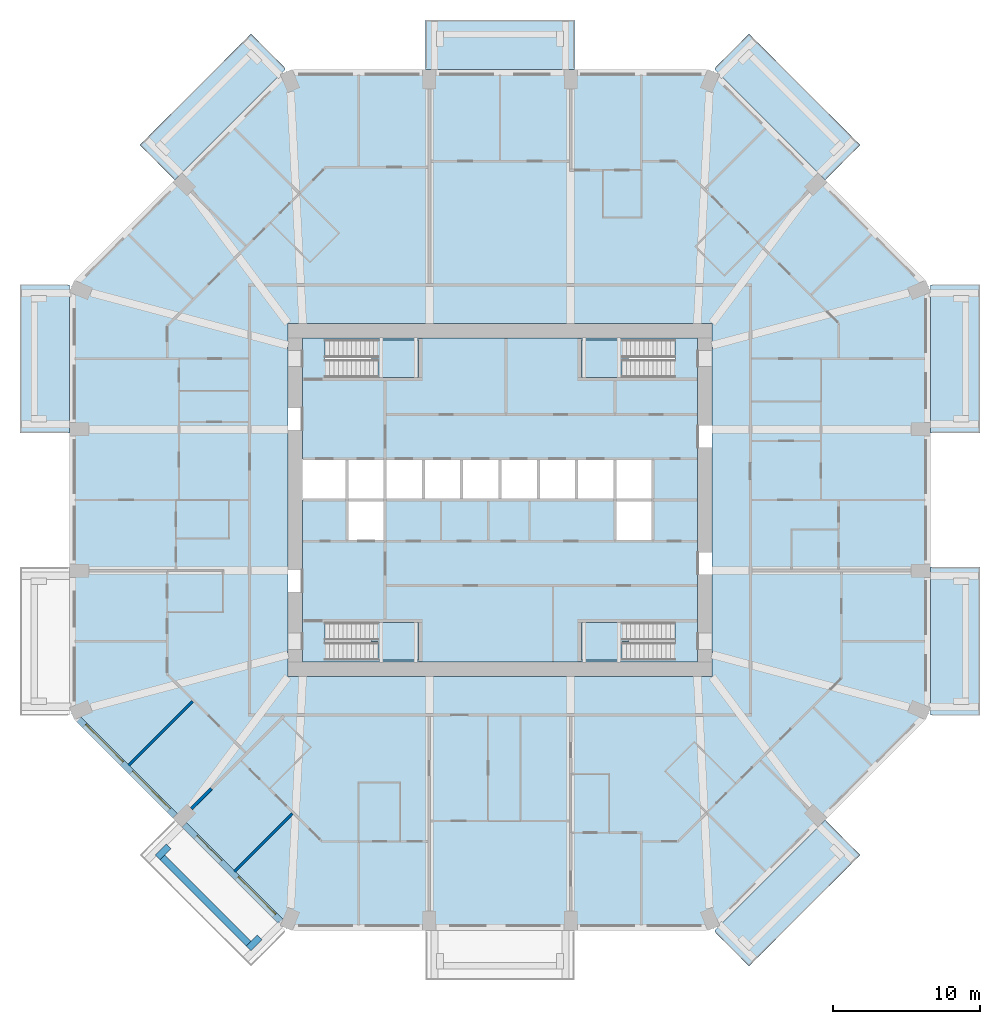
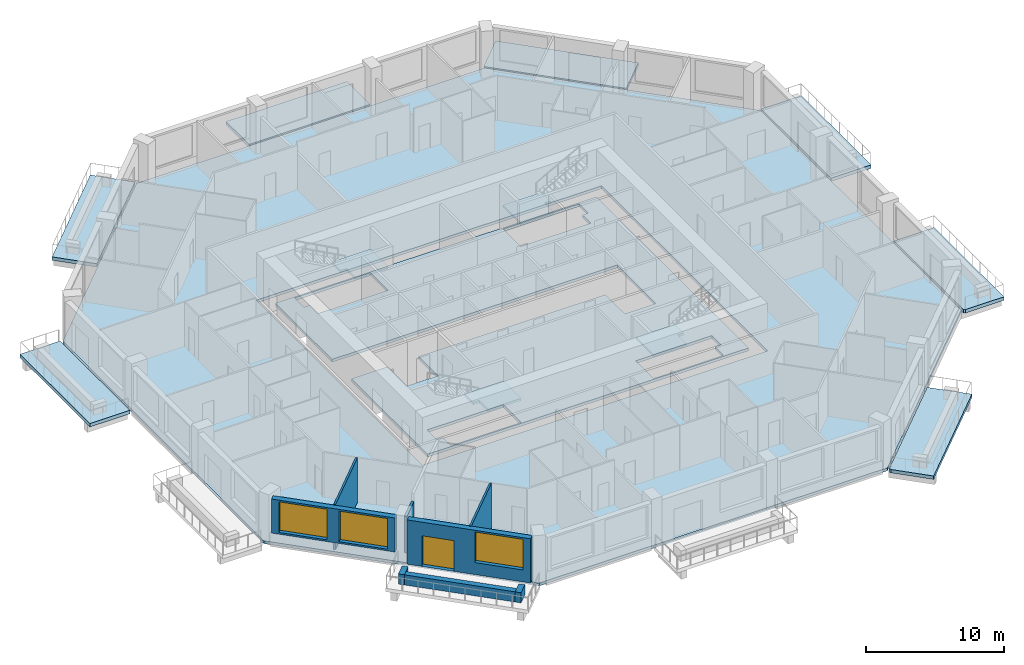
# One storey, part 2 of 13: 13 slabs, 8 walls, 3 windows, 1 door, 4 openings, 4 elements without a shape of their own.
"""IFC4 building model written with IfcOpenShell, lengths in metres."""

from ifc_helpers import new_model, si_unit, direction, frame, frame_2d, origin, place, context, subcontext, project, spatial, polyline, rectangle, outline, extrude, material, layer, layer_set, type_object, element, fill, aggregate, save


model = new_model("IFC4")

# Units and contexts
model_context = context("Model", 3, precision=1e-05, world=origin(), true_north=direction((0.0, 1.0)))
body_context = subcontext(model_context, "Body", "Model", "MODEL_VIEW")
ifc_project = project(units=[si_unit("LENGTHUNIT", "METRE"), si_unit("AREAUNIT", "SQUARE_METRE"), si_unit("VOLUMEUNIT", "CUBIC_METRE"), si_unit("PLANEANGLEUNIT", "RADIAN"), si_unit("MASSUNIT", "GRAM", prefix="KILO")], contexts=[model_context])

# Site, building, storey
site_placement = place(None, origin())
site = spatial("IfcSite", under=ifc_project, at=site_placement, CompositionType="ELEMENT")
building_placement = place(site_placement, origin())
building = spatial("IfcBuilding", under=site, at=building_placement, Name="Msitu Wima Residences", CompositionType="ELEMENT")
storey_placement = place(building_placement, frame((0.0, 0.0, 63.300048828125)))
storey = spatial("IfcBuildingStorey", under=building, at=storey_placement, Name="L14", CompositionType="ELEMENT", Elevation=63.300048828125)

# Slabs
ifc_material_1 = material(Name="Concrete C40/50", Category="concrete")
ifc_layer_1 = layer(ifc_material_1, 0.300048828125)
ifc_layer_set_1 = layer_set([ifc_layer_1], Name="Concrete C40/50")
slab_type_1 = type_object("IfcSlabType", Name="Balcony slab BS300", PredefinedType="FLOOR", material=ifc_layer_set_1)
slab_1_placement = place(storey_placement, frame((0.0, 0.0, -0.300048828125)))
element("IfcSlab", 1, at=slab_1_placement, inside=storey, type_object=slab_type_1, Name="Balcony E0 L14", PredefinedType="FLOOR", context=body_context, shape_type="SweptSolid", body=[
    extrude(outline(polyline([(29.25, -14.099365234375), (29.25, -14.099365234375), (29.25, -5.25), (29.25, -4.550048828125), (32.60009765625, -4.550048828125), (32.60009765625, -14.64990234375), (29.403564453125, -14.64990234375), (29.25, -14.58642578125), (29.25, -14.099365234375), (29.25, -14.099365234375)])), origin(), (0.0, 0.0, 1.0), 0.300048828125),
])
slab_2_placement = place(storey_placement, frame((0.0, 0.0, -0.300048828125)))
element("IfcSlab", 2, at=slab_2_placement, inside=storey, type_object=slab_type_1, Name="Balcony E2 L14", PredefinedType="FLOOR", context=body_context, shape_type="SweptSolid", body=[
    extrude(outline(polyline([(29.25, 14.099365234375), (29.25, 14.099365234375), (29.25, 14.099365234375), (29.25, 14.58642578125), (29.403564453125, 14.64990234375), (32.60009765625, 14.64990234375), (32.60009765625, 4.550048828125), (29.25, 4.550048828125), (29.25, 5.25), (29.25, 14.099365234375)])), origin(), (0.0, 0.0, 1.0), 0.300048828125),
])
slab_3_placement = place(storey_placement, frame((0.0, 0.0, -0.300048828125)))
element("IfcSlab", 3, at=slab_3_placement, inside=storey, type_object=slab_type_1, Name="Balcony NE1 L14", PredefinedType="FLOOR", context=body_context, shape_type="SweptSolid", body=[
    extrude(outline(polyline([(16.91015625, 31.663818359375), (24.4638671875, 24.1103515625), (22.094970703125, 21.741455078125), (14.58642578125, 29.25), (14.64990234375, 29.403564453125), (16.91015625, 31.663818359375)])), origin(), (0.0, 0.0, 1.0), 0.300048828125),
])
slab_4_placement = place(storey_placement, frame((0.0, 0.0, -0.300048828125)))
element("IfcSlab", 4, at=slab_4_placement, inside=storey, type_object=slab_type_1, Name="Balcony N1 L14", PredefinedType="FLOOR", context=body_context, shape_type="SweptSolid", body=[
    extrude(outline(polyline([(4.35009765625, 29.25), (-4.35009765625, 29.25), (-5.050048828125, 29.25), (-5.050048828125, 32.60009765625), (5.050048828125, 32.60009765625), (5.050048828125, 29.25), (4.35009765625, 29.25)])), origin(), (0.0, 0.0, 1.0), 0.300048828125),
])
slab_5_placement = place(storey_placement, frame((0.0, 0.0, -0.300048828125)))
element("IfcSlab", 5, at=slab_5_placement, inside=storey, type_object=slab_type_1, Name="Balcony NW0 L14", PredefinedType="FLOOR", context=body_context, shape_type="SweptSolid", body=[
    extrude(outline(polyline([(-24.4638671875, 24.1103515625), (-16.91015625, 31.663818359375), (-14.64990234375, 29.403564453125), (-14.58642578125, 29.25), (-22.094970703125, 21.741455078125), (-24.4638671875, 24.1103515625)])), origin(), (0.0, 0.0, 1.0), 0.300048828125),
])
slab_6_placement = place(storey_placement, frame((0.0, 0.0, -0.300048828125)))
element("IfcSlab", 6, at=slab_6_placement, inside=storey, type_object=slab_type_1, Name="Balcony W0 L14", PredefinedType="FLOOR", context=body_context, shape_type="SweptSolid", body=[
    extrude(outline(polyline([(-29.25, 14.099365234375), (-29.25, 14.099365234375), (-29.25, 5.25), (-29.25, 4.550048828125), (-32.60009765625, 4.550048828125), (-32.60009765625, 14.64990234375), (-29.403564453125, 14.64990234375), (-29.25, 14.58642578125), (-29.25, 14.099365234375), (-29.25, 14.099365234375)])), origin(), (0.0, 0.0, 1.0), 0.300048828125),
])
slab_7_placement = place(storey_placement, frame((0.0, 0.0, -0.300048828125)))
element("IfcSlab", 7, at=slab_7_placement, inside=storey, type_object=slab_type_1, Name="Balcony SE0 L14", PredefinedType="FLOOR", context=body_context, shape_type="SweptSolid", body=[
    extrude(outline(polyline([(24.4638671875, -24.1103515625), (16.91015625, -31.663818359375), (14.64990234375, -29.403564453125), (14.58642578125, -29.25), (22.094970703125, -21.741455078125), (24.4638671875, -24.1103515625)])), origin(), (0.0, 0.0, 1.0), 0.300048828125),
])
ifc_layer_2 = layer(ifc_material_1, 0.25)
ifc_layer_set_2 = layer_set([ifc_layer_2], Name="Concrete C40/50")
slab_type_2 = type_object("IfcSlabType", Name="Core floor CF250", PredefinedType="FLOOR", material=ifc_layer_set_2)
slab_8_placement = place(storey_placement, frame((0.0, 0.0, -0.25)))
element("IfcSlab", 8, at=slab_8_placement, inside=storey, type_object=slab_type_2, Name="Core floor", PredefinedType="FLOOR", context=body_context, shape_type="SweptSolid", body=[
    extrude(outline(polyline([(-13.39990234375, 11.0), (-13.39990234375, 2.800048828125), (-10.39990234375, 2.800048828125), (-7.800048828125, 2.800048828125), (-5.199951171875, 2.800048828125), (-2.60009765625, 2.800048828125), (0.0, 2.800048828125), (2.60009765625, 2.800048828125), (5.199951171875, 2.800048828125), (7.800048828125, 2.800048828125), (10.39990234375, 2.800048828125), (10.39990234375, 0.0), (10.39990234375, -2.800048828125), (7.800048828125, -2.800048828125), (7.800048828125, 0.0), (5.199951171875, 0.0), (2.60009765625, 0.0), (0.0, 0.0), (-2.60009765625, 0.0), (-5.199951171875, 0.0), (-7.800048828125, 0.0), (-7.800048828125, -2.800048828125), (-10.39990234375, -2.800048828125), (-10.39990234375, 0.0), (-13.39990234375, 0.0), (-13.39990234375, -11.0), (13.39990234375, -11.0), (13.39990234375, 11.0), (-13.39990234375, 11.0)]), holes=[polyline([(-11.375, -10.875), (-11.375, -9.675048828125), (-11.87451171875, -9.675048828125), (-11.87451171875, -8.324951171875), (-5.52490234375, -8.324951171875), (-5.52490234375, -10.875), (-11.375, -10.875)]), polyline([(-11.375, 9.52490234375), (-11.87451171875, 9.52490234375), (-11.87451171875, 10.875), (-5.52490234375, 10.875), (-5.52490234375, 8.324951171875), (-11.375, 8.324951171875), (-11.375, 9.52490234375)]), polyline([(11.375, -9.675048828125), (11.375, -10.875), (5.52490234375, -10.875), (5.52490234375, -8.324951171875), (11.87451171875, -8.324951171875), (11.87451171875, -9.675048828125), (11.375, -9.675048828125)]), polyline([(11.375, 9.52490234375), (11.375, 8.324951171875), (5.52490234375, 8.324951171875), (5.52490234375, 10.875), (11.87451171875, 10.875), (11.87451171875, 9.52490234375), (11.375, 9.52490234375)])]), origin(), (0.0, 0.0, 1.0), 0.25),
])
ifc_layer_3 = layer(ifc_material_1, 0.25)
ifc_layer_set_3 = layer_set([ifc_layer_3], Name="Concrete C40/50")
slab_type_3 = type_object("IfcSlabType", Name="PT flat slab 250 Concrete C40/50", PredefinedType="FLOOR", material=ifc_layer_set_3)
slab_9_placement = place(storey_placement, frame((0.0, 0.0, -0.25)))
element("IfcSlab", 9, at=slab_9_placement, inside=storey, type_object=slab_type_3, Name="Floor slab L14", PredefinedType="FLOOR", context=body_context, shape_type="SweptSolid", body=[
    extrude(outline(polyline([(29.10009765625, -14.524169921875), (14.524169921875, -29.10009765625), (-14.524169921875, -29.10009765625), (-29.10009765625, -14.524169921875), (-29.10009765625, 14.524169921875), (-14.524169921875, 29.10009765625), (14.524169921875, 29.10009765625), (29.10009765625, 14.524169921875), (29.10009765625, -14.524169921875)]), holes=[polyline([(-14.39990234375, -12.0), (14.39990234375, -12.0), (14.39990234375, 12.0), (-14.39990234375, 12.0), (-14.39990234375, -12.0)])]), origin(), (0.0, 0.0, 1.0), 0.25),
])

# Stair, slab
stair_type = type_object("IfcStairType", Name="Exit stair ES1615-120", PredefinedType="HALF_TURN_STAIR", material=ifc_material_1)
stair_1_placement = place(storey_placement, origin())
stair_1 = element("IfcStair", 10, at=stair_1_placement, inside=storey, type_object=stair_type, Name="Exit stair 1", PredefinedType="HALF_TURN_STAIR")
ifc_layer_4 = layer(ifc_material_1, 0.199951171875)
ifc_layer_set_4 = layer_set([ifc_layer_4], Name="Concrete C40/50")
slab_type_4 = type_object("IfcSlabType", Name="Stair landing SL200", PredefinedType="LANDING", material=ifc_layer_set_4)
slab_10_placement = place(storey_placement, frame((0.0, 0.0, 1.89990234375)))
slab_10 = element("IfcSlab", 11, at=slab_10_placement, type_object=slab_type_4, Name="S1 landing 1", PredefinedType="LANDING", context=body_context, shape_type="SweptSolid", body=[
    extrude(outline(polyline([(-5.52490234375, 8.324951171875), (-8.275390625, 8.324951171875), (-8.275390625, 9.60009765625), (-8.77490234375, 9.60009765625), (-8.77490234375, 10.875), (-5.52490234375, 10.875), (-5.52490234375, 8.324951171875)])), origin(), (0.0, 0.0, 1.0), 0.199951171875),
])
aggregate(stair_1, [slab_10])

stair_2_placement = place(storey_placement, origin())
stair_2 = element("IfcStair", 12, at=stair_2_placement, inside=storey, type_object=stair_type, Name="Exit stair 2", PredefinedType="HALF_TURN_STAIR")
slab_11_placement = place(storey_placement, frame((0.0, 0.0, 1.89990234375)))
slab_11 = element("IfcSlab", 13, at=slab_11_placement, type_object=slab_type_4, Name="S2 landing 1", PredefinedType="LANDING", context=body_context, shape_type="SweptSolid", body=[
    extrude(outline(polyline([(-5.52490234375, -10.875), (-8.275390625, -10.875), (-8.275390625, -9.60009765625), (-8.77490234375, -9.60009765625), (-8.77490234375, -8.324951171875), (-5.52490234375, -8.324951171875), (-5.52490234375, -10.875)])), origin(), (0.0, 0.0, 1.0), 0.199951171875),
])
aggregate(stair_2, [slab_11])

stair_3_placement = place(storey_placement, origin())
stair_3 = element("IfcStair", 14, at=stair_3_placement, inside=storey, type_object=stair_type, Name="Exit stair 3", PredefinedType="HALF_TURN_STAIR")
slab_12_placement = place(storey_placement, frame((0.0, 0.0, 1.89990234375)))
slab_12 = element("IfcSlab", 15, at=slab_12_placement, type_object=slab_type_4, Name="S3 landing 1", PredefinedType="LANDING", context=body_context, shape_type="SweptSolid", body=[
    extrude(outline(polyline([(5.52490234375, 8.324951171875), (8.275390625, 8.324951171875), (8.275390625, 9.60009765625), (8.77490234375, 9.60009765625), (8.77490234375, 10.875), (5.52490234375, 10.875), (5.52490234375, 8.324951171875)])), origin(), (0.0, 0.0, 1.0), 0.199951171875),
])
aggregate(stair_3, [slab_12])

stair_4_placement = place(storey_placement, origin())
stair_4 = element("IfcStair", 16, at=stair_4_placement, inside=storey, type_object=stair_type, Name="Exit stair 4", PredefinedType="HALF_TURN_STAIR")
slab_13_placement = place(storey_placement, frame((0.0, 0.0, 1.89990234375)))
slab_13 = element("IfcSlab", 17, at=slab_13_placement, type_object=slab_type_4, Name="S4 landing 1", PredefinedType="LANDING", context=body_context, shape_type="SweptSolid", body=[
    extrude(outline(polyline([(5.52490234375, -10.875), (8.275390625, -10.875), (8.275390625, -9.60009765625), (8.77490234375, -9.60009765625), (8.77490234375, -8.324951171875), (5.52490234375, -8.324951171875), (5.52490234375, -10.875)])), origin(), (0.0, 0.0, 1.0), 0.199951171875),
])
aggregate(stair_4, [slab_13])

# Walls
ifc_material_2 = material(Name="Facing brick")
ifc_layer_5 = layer(ifc_material_2, 0.06494140625, Name="Facing brick")
ifc_layer_6 = layer(ifc_material_1, 0.156005859375, Name="Concrete C40/50")
ifc_material_3 = material(Name="Waterproofing membrane")
ifc_layer_7 = layer(ifc_material_3, 0.00390625, Name="Waterproofing membrane")
ifc_material_4 = material(Name="Planting soil and planting")
ifc_layer_8 = layer(ifc_material_4, 0.22509765625, Name="Planting soil and planting")
ifc_layer_set_5 = layer_set([ifc_layer_5, ifc_layer_6, ifc_layer_7, ifc_layer_8], Name="Concrete C40/50")
wall_type_1 = type_object("IfcWallType", Name="Balcony planter PLANTER PL450", PredefinedType="USERDEFINED", material=ifc_layer_set_5)
wall_1_placement = place(storey_placement, frame((-22.92578125, -24.269287109375, 0.0), z_axis=(0.0, 0.0, 1.0), x_axis=(0.707106781187, -0.707106781187, 0.0)))
element("IfcWall", 18, at=wall_1_placement, inside=storey, type_object=wall_type_1, Name="Balcony planter SW1 L14", ObjectType="PLANTER", PredefinedType="USERDEFINED", context=body_context, shape_type="SweptSolid", body=[
    extrude(rectangle(XDim=8.2822265625, YDim=0.449951171875, at=frame_2d((4.14111328125, 0.0))), origin(), (0.0, 0.0, 1.0), 0.89990234375),
])
for number, where, z_axis, x_axis, name in (
    (19, (-22.50146484375, -23.52685546875, 0.0), (0.0, 0.0, 1.0), (-0.707223014731, -0.706990528533, 0.0), "Balcony planter SW1 L14"),
    (20, (-16.326904296875, -29.70166015625, 0.0), (0.0, 0.0, 1.0), (-0.707106781187, -0.707106781187, 0.0), "Balcony planter SW1 L14"),
):
    element("IfcWall", number, at=place(storey_placement, frame(where, z_axis=z_axis, x_axis=x_axis)), inside=storey, type_object=wall_type_1, Name=name, ObjectType="PLANTER", PredefinedType="USERDEFINED", context=body_context, shape_type="SweptSolid", body=[
        extrude(rectangle(XDim=1.050048828125, YDim=0.449951171875, at=frame_2d((0.52490234375, 0.0))), origin(), (0.0, 0.0, 1.0), 0.89990234375),
    ])

# Wall, openings, windows
ifc_material_5 = material(Name="Brick (red buff mix)", Category="masonry")
ifc_layer_9 = layer(ifc_material_5, 0.449951171875)
ifc_layer_set_6 = layer_set([ifc_layer_9], Name="Brick (red buff mix)")
wall_type_2 = type_object("IfcWallType", Name="Brick infill wall BW450", PredefinedType="SOLIDWALL", material=ifc_layer_set_6)
wall_2_placement = place(storey_placement, frame((-28.61474609375, -14.903564453125, 0.89990234375), z_axis=(0.0, 0.0, 1.0), x_axis=(0.707106781187, -0.707106781187, 0.0)))
wall_2 = element("IfcWall", 21, at=wall_2_placement, inside=storey, type_object=wall_type_2, Name="Brick infill wall L14 SW0", PredefinedType="SOLIDWALL", context=body_context, shape_type="SweptSolid", body=[
    extrude(rectangle(XDim=9.2451171875, YDim=0.449951171875, at=frame_2d((4.62255859375, 0.0))), origin(), (0.0, 0.0, 1.0), 3.0),
])
opening_1_placement = place(wall_2_placement, frame((0.572509765625, 0.0, 0.14990234375)))
opening_1 = element("IfcOpeningElement", 22, at=opening_1_placement, cuts=wall_2, Name="Opening W13-15.024", PredefinedType="OPENING", context=body_context, shape_type="SweptSolid", body=[
    extrude(rectangle(XDim=3.60009765625, YDim=2.699951171875, at=frame_2d((1.800048828125, 1.35009765625))), frame((0.0, 0.23486328125, 0.0), z_axis=(0.0, -1.0, 0.0), x_axis=(1.0, 0.0, 0.0)), (0.0, 0.0, 1.0), 0.469970703125),
])
opening_2_placement = place(wall_2_placement, frame((5.072509765625, 0.0, 0.14990234375)))
opening_2 = element("IfcOpeningElement", 23, at=opening_2_placement, cuts=wall_2, Name="Opening W13-15.025", PredefinedType="OPENING", context=body_context, shape_type="SweptSolid", body=[
    extrude(rectangle(XDim=3.60009765625, YDim=2.699951171875, at=frame_2d((1.800048828125, 1.35009765625))), frame((0.0, 0.23486328125, 0.0), z_axis=(0.0, -1.0, 0.0), x_axis=(1.0, 0.0, 0.0)), (0.0, 0.0, 1.0), 0.469970703125),
])
ifc_material_6 = material(Name="Anodised aluminium, bronze finish, clear low-emissivity double glazing", Category="aluminium")
window_type = type_object("IfcWindowType", Name="Window W3600x2700", PartitioningType="DOUBLE_PANEL_VERTICAL", PredefinedType="WINDOW", material=ifc_material_6)
window_1_placement = place(opening_1_placement, origin())
window_1 = element("IfcWindow", 24, at=window_1_placement, inside=storey, type_object=window_type, Name="Window L14 SW0.1", OverallHeight=2.699951171875, OverallWidth=3.60009765625, PartitioningType="SINGLE_PANEL", PredefinedType="WINDOW", context=body_context, shape_type="SweptSolid", body=[
    extrude(rectangle(XDim=3.60009765625, YDim=2.699951171875, at=frame_2d((1.800048828125, 1.35009765625))), frame((0.0, 0.135009765625, 0.0), z_axis=(0.0, -1.0, 0.0), x_axis=(1.0, 0.0, 0.0)), (0.0, 0.0, 1.0), 0.06005859375),
])
fill(opening_1, window_1)
window_2_placement = place(opening_2_placement, origin())
window_2 = element("IfcWindow", 25, at=window_2_placement, inside=storey, type_object=window_type, Name="Window L14 SW0.2", OverallHeight=2.699951171875, OverallWidth=3.60009765625, PartitioningType="SINGLE_PANEL", PredefinedType="WINDOW", context=body_context, shape_type="SweptSolid", body=[
    extrude(rectangle(XDim=3.60009765625, YDim=2.699951171875, at=frame_2d((1.800048828125, 1.35009765625))), frame((0.0, 0.135009765625, 0.0), z_axis=(0.0, -1.0, 0.0), x_axis=(1.0, 0.0, 0.0)), (0.0, 0.0, 1.0), 0.06005859375),
])
fill(opening_2, window_2)

# Wall, openings, door, window
wall_3_placement = place(storey_placement, frame((-21.44091796875, -22.077392578125, 0.0), z_axis=(0.0, 0.0, 1.0), x_axis=(0.707106781187, -0.707106781187, 0.0)))
wall_3 = element("IfcWall", 26, at=wall_3_placement, inside=storey, type_object=wall_type_2, Name="Brick infill wall L14 SW1", PredefinedType="SOLIDWALL", context=body_context, shape_type="SweptSolid", body=[
    extrude(rectangle(XDim=9.2451171875, YDim=0.449951171875, at=frame_2d((4.62255859375, 0.0))), origin(), (0.0, 0.0, 1.0), 3.89990234375),
])
opening_3_placement = place(wall_3_placement, frame((1.111328125, 0.0, 0.0)))
opening_3 = element("IfcOpeningElement", 27, at=opening_3_placement, cuts=wall_3, Name="Opening D13-15.008", PredefinedType="OPENING", context=body_context, shape_type="SweptSolid", body=[
    extrude(rectangle(XDim=2.39990234375, YDim=2.699951171875, at=frame_2d((1.199951171875, 1.35009765625))), frame((0.0, 0.23486328125, 0.0), z_axis=(0.0, -1.0, 0.0), x_axis=(1.0, 0.0, 0.0)), (0.0, 0.0, 1.0), 0.469970703125),
])
opening_4_placement = place(wall_3_placement, frame((5.072509765625, 0.0, 1.050048828125)))
opening_4 = element("IfcOpeningElement", 28, at=opening_4_placement, cuts=wall_3, Name="Opening W13-15.026", PredefinedType="OPENING", context=body_context, shape_type="SweptSolid", body=[
    extrude(rectangle(XDim=3.60009765625, YDim=2.699951171875, at=frame_2d((1.800048828125, 1.35009765625))), frame((0.0, 0.23486328125, 0.0), z_axis=(0.0, -1.0, 0.0), x_axis=(1.0, 0.0, 0.0)), (0.0, 0.0, 1.0), 0.469970703125),
])
door_type = type_object("IfcDoorType", Name="Balcony door D2400x2700", OperationType="SLIDING_TO_LEFT", PredefinedType="DOOR", material=ifc_material_6)
door_placement = place(opening_3_placement, origin())
door = element("IfcDoor", 29, at=door_placement, inside=storey, type_object=door_type, Name="Balcony door L14 SW1", OperationType="SINGLE_SWING_LEFT", OverallHeight=2.699951171875, OverallWidth=2.39990234375, PredefinedType="DOOR", context=body_context, shape_type="SweptSolid", body=[
    extrude(rectangle(XDim=2.39990234375, YDim=2.699951171875, at=frame_2d((1.199951171875, 1.35009765625))), frame((0.0, 0.1298828125, 0.0), z_axis=(0.0, -1.0, 0.0), x_axis=(1.0, 0.0, 0.0)), (0.0, 0.0, 1.0), 0.050048828125),
])
fill(opening_3, door)
window_3_placement = place(opening_4_placement, origin())
window_3 = element("IfcWindow", 30, at=window_3_placement, inside=storey, type_object=window_type, Name="Window L14 SW1.2", OverallHeight=2.699951171875, OverallWidth=3.60009765625, PartitioningType="SINGLE_PANEL", PredefinedType="WINDOW", context=body_context, shape_type="SweptSolid", body=[
    extrude(rectangle(XDim=3.60009765625, YDim=2.699951171875, at=frame_2d((1.800048828125, 1.35009765625))), frame((0.0, 0.135009765625, 0.0), z_axis=(0.0, -1.0, 0.0), x_axis=(1.0, 0.0, 0.0)), (0.0, 0.0, 1.0), 0.06005859375),
])
fill(opening_4, window_3)

# Walls
ifc_material_7 = material(Name="Plaster")
ifc_layer_10 = layer(ifc_material_7, 0.011962890625, Name="Plaster")
ifc_material_8 = material(Name="Concrete blockwork", Category="masonry")
ifc_layer_11 = layer(ifc_material_8, 0.1259765625, Name="Concrete blockwork")
ifc_layer_12 = layer(ifc_material_7, 0.011962890625, Name="Plaster")
ifc_layer_set_7 = layer_set([ifc_layer_10, ifc_layer_11, ifc_layer_12], Name="Concrete blockwork")
wall_type_3 = type_object("IfcWallType", Name="Partition PW150", PredefinedType="PARTITIONING", material=ifc_layer_set_7)
wall_4_placement = place(storey_placement, frame((-25.2177734375, -18.017578125, 0.0), z_axis=(0.0, 0.0, 1.0), x_axis=(0.707126629519, 0.707086932297, 0.0)))
element("IfcWall", 31, at=wall_4_placement, inside=storey, type_object=wall_type_3, Name="Partition", PredefinedType="PARTITIONING", context=body_context, shape_type="SweptSolid", body=[
    extrude(rectangle(XDim=6.150146484375, YDim=0.14990234375, at=frame_2d((3.0751953125, 0.0))), origin(), (0.0, 0.0, 1.0), 3.949951171875),
])
wall_5_placement = place(storey_placement, frame((-18.038818359375, -25.23876953125, 0.0), z_axis=(0.0, 0.0, 1.0), x_axis=(0.707106781187, 0.707106781187, 0.0)))
element("IfcWall", 32, at=wall_5_placement, inside=storey, type_object=wall_type_3, Name="Partition", PredefinedType="PARTITIONING", context=body_context, shape_type="SweptSolid", body=[
    extrude(rectangle(XDim=5.579833984375, YDim=0.14990234375, at=frame_2d((2.7900390625, 0.0))), origin(), (0.0, 0.0, 1.0), 3.949951171875),
])
ifc_layer_13 = layer(ifc_material_7, 0.011962890625, Name="Plaster")
ifc_material_9 = material(Name="Dense concrete blockwork", Category="masonry")
ifc_layer_14 = layer(ifc_material_9, 0.176025390625, Name="Dense concrete blockwork")
ifc_layer_15 = layer(ifc_material_7, 0.011962890625, Name="Plaster")
ifc_layer_set_8 = layer_set([ifc_layer_13, ifc_layer_14, ifc_layer_15], Name="Dense concrete blockwork")
wall_type_4 = type_object("IfcWallType", Name="Party wall PW200", PredefinedType="PARTITIONING", material=ifc_layer_set_8)
wall_6_placement = place(storey_placement, frame((-20.963623046875, -20.963623046875, 0.0), z_axis=(0.0, 0.0, 1.0), x_axis=(0.707106781187, 0.707106781187, 0.0)))
element("IfcWall", 33, at=wall_6_placement, inside=storey, type_object=wall_type_4, Name="Party wall", PredefinedType="PARTITIONING", context=body_context, shape_type="SweptSolid", body=[
    extrude(rectangle(XDim=1.92041015625, YDim=0.199951171875, at=frame_2d((0.960205078125, 0.0))), origin(), (0.0, 0.0, 1.0), 3.25),
])

save(model, "model.ifc")
